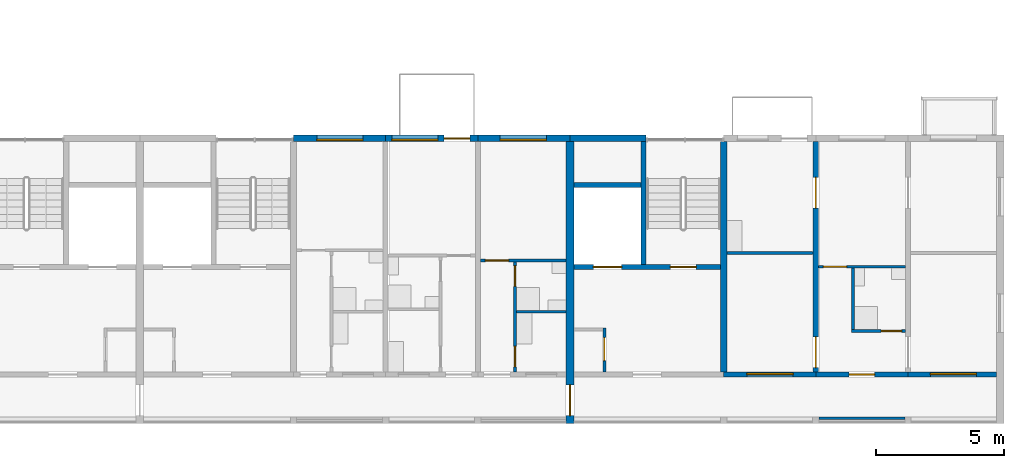
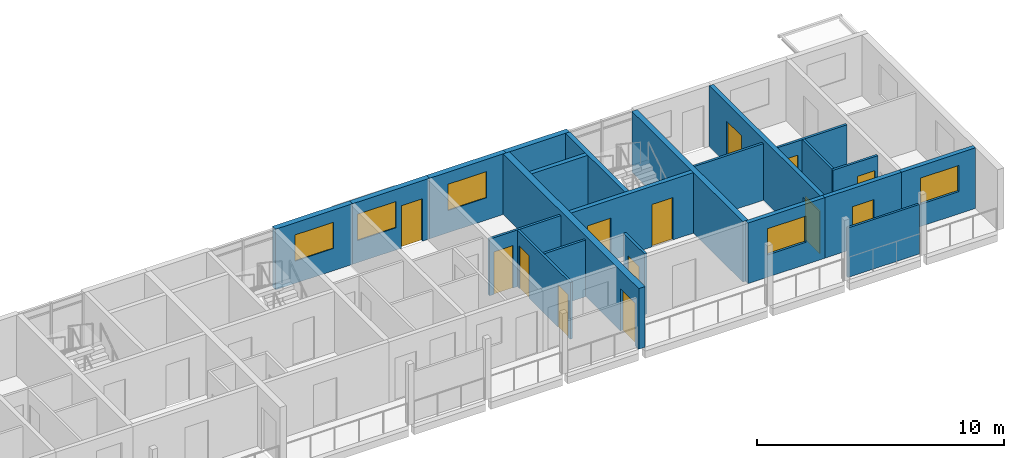
# One storey, part 54 of 93: 22 walls, 13 doors, 5 windows, 18 openings.
"""IFC4 building model written with IfcOpenShell, lengths in metres."""

from ifc_helpers import new_model, si_unit, direction, frame, frame_2d, origin, place, context, subcontext, project, spatial, rectangle, extrude, material, layer, layer_set, type_object, element, fill, save


model = new_model("IFC4")

# Units and contexts
model_context = context("Model", 3, precision=1e-05, world=origin(), true_north=direction((0.0, 1.0)))
body_context = subcontext(model_context, "Body", "Model", "MODEL_VIEW")
ifc_project = project(units=[si_unit("LENGTHUNIT", "METRE"), si_unit("AREAUNIT", "SQUARE_METRE"), si_unit("VOLUMEUNIT", "CUBIC_METRE"), si_unit("PLANEANGLEUNIT", "RADIAN"), si_unit("MASSUNIT", "GRAM", prefix="KILO")], contexts=[model_context])

# Site, building, storey
site_placement = place(None, origin())
site = spatial("IfcSite", under=ifc_project, at=site_placement, CompositionType="ELEMENT")
building_placement = place(site_placement, origin())
building = spatial("IfcBuilding", under=site, at=building_placement, Name="Ridgestep Commons", CompositionType="ELEMENT")
storey_placement = place(building_placement, frame((0.0, 0.0, 18.0)))
storey = spatial("IfcBuildingStorey", under=building, at=storey_placement, Name="L06", CompositionType="ELEMENT", Elevation=18.0)

# Wall
ifc_material_1 = material(Name="Concrete C30/37", Category="concrete")
ifc_layer_1 = layer(ifc_material_1, 0.25)
ifc_layer_set_1 = layer_set([ifc_layer_1], Name="Core cross wall 250")
wall_type_1 = type_object("IfcWallType", Name="Core cross wall 250", PredefinedType="SHEAR", material=ifc_layer_set_1)
wall_1_placement = place(storey_placement, frame((236.800048828125, 13.75, 0.0), z_axis=(0.0, 0.0, 1.0), x_axis=(0.0, 1.0, 0.0)))
element("IfcWall", 1, at=wall_1_placement, inside=storey, type_object=wall_type_1, Name="Cross wall D-06-2368", PredefinedType="SHEAR", context=body_context, shape_type="SweptSolid", body=[
    extrude(rectangle(XDim=9.0, YDim=0.25, at=frame_2d((4.5, 0.0))), origin(), (0.0, 0.0, 1.0), 3.0),
])

# Wall, opening, door
ifc_material_2 = material(Name="Concrete C30/37", Category="concrete")
ifc_layer_2 = layer(ifc_material_2, 0.1201171875)
ifc_layer_set_2 = layer_set([ifc_layer_2], Name="Core wall 120")
wall_type_2 = type_object("IfcWallType", Name="Core wall 120", PredefinedType="SHEAR", material=ifc_layer_set_2)
wall_2_placement = place(storey_placement, frame((232.139892578125, 13.75, 0.0), z_axis=(0.0, 0.0, 1.0), x_axis=(0.0, 1.0, 0.0)))
wall_2 = element("IfcWall", 2, at=wall_2_placement, inside=storey, type_object=wall_type_2, Name="Core riser w wall D6C L06", PredefinedType="SHEAR", context=body_context, shape_type="SweptSolid", body=[
    extrude(rectangle(XDim=1.719970703125, YDim=0.1201171875, at=frame_2d((0.85986328125, 0.0))), origin(), (0.0, 0.0, 1.0), 3.0),
])
opening_1_placement = place(wall_2_placement, frame((0.449951171875, 0.0, 0.0)))
opening_1 = element("IfcOpeningElement", 3, at=opening_1_placement, cuts=wall_2, Name="Opening D6C/06/4", PredefinedType="OPENING", context=body_context, shape_type="SweptSolid", body=[
    extrude(rectangle(XDim=0.89990234375, YDim=2.10009765625, at=frame_2d((0.449951171875, 1.050048828125))), frame((0.0, 0.070068359375, 0.0), z_axis=(0.0, -1.0, 0.0), x_axis=(1.0, 0.0, 0.0)), (0.0, 0.0, 1.0), 0.14013671875),
])
ifc_material_3 = material(Name="Steel fire door", Category="steel")
door_type_1 = type_object("IfcDoorType", Name="Riser door 900 x 2100 FD60", OperationType="NOTDEFINED", PredefinedType="DOOR", material=ifc_material_3)
door_1_placement = place(opening_1_placement, origin())
door_1 = element("IfcDoor", 4, at=door_1_placement, inside=storey, type_object=door_type_1, Name="Riser door D6C/06/4", OperationType="SINGLE_SWING_RIGHT", OverallHeight=2.10009765625, OverallWidth=0.89990234375, PredefinedType="DOOR", context=body_context, shape_type="SweptSolid", body=[
    extrude(rectangle(XDim=0.89990234375, YDim=2.10009765625, at=frame_2d((0.449951171875, 1.050048828125))), frame((0.0, 0.02490234375, 0.0), z_axis=(0.0, -1.0, 0.0), x_axis=(1.0, 0.0, 0.0)), (0.0, 0.0, 1.0), 0.050048828125),
])
fill(opening_1, door_1)

# Wall, openings, doors
ifc_material_4 = material(Name="Concrete C30/37", Category="concrete")
ifc_layer_3 = layer(ifc_material_4, 0.199951171875)
ifc_layer_set_3 = layer_set([ifc_layer_3], Name="Core wall 200")
wall_type_3 = type_object("IfcWallType", Name="Core wall 200", PredefinedType="SHEAR", material=ifc_layer_set_3)
wall_3_placement = place(storey_placement, frame((230.949951171875, 17.85009765625, 0.0), z_axis=(0.0, 0.0, 1.0), x_axis=(1.0, 0.0, 0.0)))
wall_3 = element("IfcWall", 5, at=wall_3_placement, inside=storey, type_object=wall_type_3, Name="Core lobby wall D6C L06", PredefinedType="SHEAR", context=body_context, shape_type="SweptSolid", body=[
    extrude(rectangle(XDim=5.72509765625, YDim=0.199951171875, at=frame_2d((2.862548828125, 0.0))), origin(), (0.0, 0.0, 1.0), 3.0),
])
opening_2_placement = place(wall_3_placement, frame((3.77490234375, 0.0, 0.0)))
opening_2 = element("IfcOpeningElement", 6, at=opening_2_placement, cuts=wall_3, Name="Opening D6C/06/2", PredefinedType="OPENING", context=body_context, shape_type="SweptSolid", body=[
    extrude(rectangle(XDim=1.0, YDim=2.10009765625, at=frame_2d((0.5, 1.050048828125))), frame((0.0, 0.10986328125, 0.0), z_axis=(0.0, -1.0, 0.0), x_axis=(1.0, 0.0, 0.0)), (0.0, 0.0, 1.0), 0.219970703125),
])
opening_3_placement = place(wall_3_placement, frame((0.762451171875, 0.0, 0.0)))
opening_3 = element("IfcOpeningElement", 7, at=opening_3_placement, cuts=wall_3, Name="Opening D6C/06/3", PredefinedType="OPENING", context=body_context, shape_type="SweptSolid", body=[
    extrude(rectangle(XDim=1.10009765625, YDim=2.10009765625, at=frame_2d((0.550048828125, 1.050048828125))), frame((0.0, 0.10986328125, 0.0), z_axis=(0.0, -1.0, 0.0), x_axis=(1.0, 0.0, 0.0)), (0.0, 0.0, 1.0), 0.219970703125),
])
ifc_material_5 = material(Name="Stainless steel", Category="steel")
door_type_2 = type_object("IfcDoorType", Name="Lift landing door 1100 x 2100 FD60", OperationType="DOUBLE_DOOR_SLIDING", PredefinedType="DOOR", material=ifc_material_5)
door_2_placement = place(opening_3_placement, origin())
door_2 = element("IfcDoor", 8, at=door_2_placement, inside=storey, type_object=door_type_2, Name="Landing door LD D6C L06", OperationType="DOUBLE_DOOR_SLIDING", OverallHeight=2.10009765625, OverallWidth=1.10009765625, PredefinedType="DOOR", context=body_context, shape_type="SweptSolid", body=[
    extrude(rectangle(XDim=1.10009765625, YDim=2.10009765625, at=frame_2d((0.550048828125, 1.050048828125))), frame((0.0, 0.02490234375, 0.0), z_axis=(0.0, -1.0, 0.0), x_axis=(1.0, 0.0, 0.0)), (0.0, 0.0, 1.0), 0.050048828125),
])
fill(opening_3, door_2)
ifc_material_6 = material(Name="Steel fire door", Category="steel")
door_type_3 = type_object("IfcDoorType", Name="Stair door 1000 x 2100 FD60", OperationType="NOTDEFINED", PredefinedType="DOOR", material=ifc_material_6)
door_3_placement = place(opening_2_placement, origin())
door_3 = element("IfcDoor", 9, at=door_3_placement, inside=storey, type_object=door_type_3, Name="Stair door D6C/06/2", OperationType="SINGLE_SWING_RIGHT", OverallHeight=2.10009765625, OverallWidth=1.0, PredefinedType="DOOR", context=body_context, shape_type="SweptSolid", body=[
    extrude(rectangle(XDim=1.0, YDim=2.10009765625, at=frame_2d((0.5, 1.050048828125))), frame((0.0, 0.02490234375, 0.0), z_axis=(0.0, -1.0, 0.0), x_axis=(1.0, 0.0, 0.0)), (0.0, 0.0, 1.0), 0.050048828125),
])
fill(opening_2, door_3)

# Walls
wall_4_placement = place(storey_placement, frame((233.675048828125, 17.949951171875, 0.0), z_axis=(0.0, 0.0, 1.0), x_axis=(0.0, 1.0, 0.0)))
element("IfcWall", 10, at=wall_4_placement, inside=storey, type_object=wall_type_3, Name="Core stair wall D6C L06", PredefinedType="SHEAR", context=body_context, shape_type="SweptSolid", body=[
    extrude(rectangle(XDim=4.800048828125, YDim=0.199951171875, at=frame_2d((2.39990234375, 0.0))), origin(), (0.0, 0.0, 1.0), 3.0),
])
wall_5_placement = place(storey_placement, frame((230.949951171875, 21.050048828125, 0.0), z_axis=(0.0, 0.0, 1.0), x_axis=(1.0, 0.0, 0.0)))
element("IfcWall", 11, at=wall_5_placement, inside=storey, type_object=wall_type_3, Name="Core duct wall D6C L06", PredefinedType="SHEAR", context=body_context, shape_type="SweptSolid", body=[
    extrude(rectangle(XDim=2.625, YDim=0.199951171875, at=frame_2d((1.3125, 0.0))), origin(), (0.0, 0.0, 1.0), 3.0),
])

# Wall, openings, doors
ifc_material_7 = material(Name="Precast concrete C40/50", Category="concrete")
ifc_layer_4 = layer(ifc_material_7, 0.199951171875)
ifc_layer_set_4 = layer_set([ifc_layer_4], Name="Cross wall 200")
wall_type_4 = type_object("IfcWallType", Name="Cross wall 200", PredefinedType="SHEAR", material=ifc_layer_set_4)
wall_6_placement = place(storey_placement, frame((240.39990234375, 13.75, 0.0), z_axis=(0.0, 0.0, 1.0), x_axis=(0.0, 1.0, 0.0)))
wall_6 = element("IfcWall", 12, at=wall_6_placement, inside=storey, type_object=wall_type_4, Name="Cross wall D-06-2404", PredefinedType="SHEAR", context=body_context, shape_type="SweptSolid", body=[
    extrude(rectangle(XDim=9.0, YDim=0.199951171875, at=frame_2d((4.5, 0.0))), origin(), (0.0, 0.0, 1.0), 3.0),
])
opening_4_placement = place(wall_6_placement, frame((0.175048828125, 0.0, 0.0)))
opening_4 = element("IfcOpeningElement", 13, at=opening_4_placement, cuts=wall_6, Name="Opening D6-06a/4", PredefinedType="OPENING", context=body_context, shape_type="SweptSolid", body=[
    extrude(rectangle(XDim=1.199951171875, YDim=2.10009765625, at=frame_2d((0.60009765625, 1.050048828125))), frame((0.0, 0.10986328125, 0.0), z_axis=(0.0, -1.0, 0.0), x_axis=(1.0, 0.0, 0.0)), (0.0, 0.0, 1.0), 0.219970703125),
])
opening_5_placement = place(wall_6_placement, frame((6.39990234375, 0.0, 0.0)))
opening_5 = element("IfcOpeningElement", 14, at=opening_5_placement, cuts=wall_6, Name="Opening D6-06a/5", PredefinedType="OPENING", context=body_context, shape_type="SweptSolid", body=[
    extrude(rectangle(XDim=1.199951171875, YDim=2.10009765625, at=frame_2d((0.60009765625, 1.050048828125))), frame((0.0, 0.10986328125, 0.0), z_axis=(0.0, -1.0, 0.0), x_axis=(1.0, 0.0, 0.0)), (0.0, 0.0, 1.0), 0.219970703125),
])
ifc_material_8 = material(Name="Timber door leaf", Category="wood")
door_type_4 = type_object("IfcDoorType", Name="Double door 1200 x 2100", OperationType="DOUBLE_DOOR_SINGLE_SWING", PredefinedType="DOOR", material=ifc_material_8)
door_4_placement = place(opening_4_placement, origin())
door_4 = element("IfcDoor", 15, at=door_4_placement, inside=storey, type_object=door_type_4, Name="Double door D6-06a/4", OperationType="DOUBLE_DOOR_SINGLE_SWING", OverallHeight=2.10009765625, OverallWidth=1.199951171875, PredefinedType="DOOR", context=body_context, shape_type="SweptSolid", body=[
    extrude(rectangle(XDim=1.199951171875, YDim=2.10009765625, at=frame_2d((0.60009765625, 1.050048828125))), frame((0.0, 0.02490234375, 0.0), z_axis=(0.0, -1.0, 0.0), x_axis=(1.0, 0.0, 0.0)), (0.0, 0.0, 1.0), 0.050048828125),
])
fill(opening_4, door_4)
door_5_placement = place(opening_5_placement, origin())
door_5 = element("IfcDoor", 16, at=door_5_placement, inside=storey, type_object=door_type_4, Name="Double door D6-06a/5", OperationType="DOUBLE_DOOR_SINGLE_SWING", OverallHeight=2.10009765625, OverallWidth=1.199951171875, PredefinedType="DOOR", context=body_context, shape_type="SweptSolid", body=[
    extrude(rectangle(XDim=1.199951171875, YDim=2.10009765625, at=frame_2d((0.60009765625, 1.050048828125))), frame((0.0, 0.02490234375, 0.0), z_axis=(0.0, -1.0, 0.0), x_axis=(1.0, 0.0, 0.0)), (0.0, 0.0, 1.0), 0.050048828125),
])
fill(opening_5, door_5)

# Wall, opening, door
ifc_material_9 = material(Name="Precast concrete C40/50", Category="concrete")
ifc_layer_5 = layer(ifc_material_9, 0.300048828125)
ifc_layer_set_5 = layer_set([ifc_layer_5], Name="Division wall 300")
wall_type_5 = type_object("IfcWallType", Name="Division wall 300", PredefinedType="SHEAR", material=ifc_layer_set_5)
wall_7_placement = place(storey_placement, frame((230.800048828125, 11.75, 0.0), z_axis=(0.0, 0.0, 1.0), x_axis=(0.0, 1.0, 0.0)))
wall_7 = element("IfcWall", 17, at=wall_7_placement, inside=storey, type_object=wall_type_5, Name="Cross wall D-06-2308", PredefinedType="SHEAR", context=body_context, shape_type="SweptSolid", body=[
    extrude(rectangle(XDim=11.0, YDim=0.300048828125, at=frame_2d((5.5, 0.0))), origin(), (0.0, 0.0, 1.0), 3.0),
])
opening_6_placement = place(wall_7_placement, frame((0.300048828125, 0.0, 0.0)))
opening_6 = element("IfcOpeningElement", 18, at=opening_6_placement, cuts=wall_7, Name="Opening D/06/G2308", PredefinedType="OPENING", context=body_context, shape_type="SweptSolid", body=[
    extrude(rectangle(XDim=1.199951171875, YDim=2.10009765625, at=frame_2d((0.60009765625, 1.050048828125))), frame((0.0, 0.159912109375, 0.0), z_axis=(0.0, -1.0, 0.0), x_axis=(1.0, 0.0, 0.0)), (0.0, 0.0, 1.0), 0.320068359375),
])
ifc_material_10 = material(Name="Steel fire door", Category="steel")
door_type_5 = type_object("IfcDoorType", Name="Division fire door 1200 x 2100 EI 240", OperationType="DOUBLE_DOOR_SINGLE_SWING", PredefinedType="DOOR", material=ifc_material_10)
door_6_placement = place(opening_6_placement, origin())
door_6 = element("IfcDoor", 19, at=door_6_placement, inside=storey, type_object=door_type_5, Name="Division fire door D/06/G2308", OperationType="DOUBLE_DOOR_SINGLE_SWING", OverallHeight=2.10009765625, OverallWidth=1.199951171875, PredefinedType="DOOR", context=body_context, shape_type="SweptSolid", body=[
    extrude(rectangle(XDim=1.199951171875, YDim=2.10009765625, at=frame_2d((0.60009765625, 1.050048828125))), frame((0.0, 0.02490234375, 0.0), z_axis=(0.0, -1.0, 0.0), x_axis=(1.0, 0.0, 0.0)), (0.0, 0.0, 1.0), 0.050048828125),
])
fill(opening_6, door_6)

# Wall, opening, window
ifc_material_11 = material(Name="Precast concrete C40/50", Category="concrete")
ifc_layer_6 = layer(ifc_material_11, 0.25)
ifc_layer_set_6 = layer_set([ifc_layer_6], Name="North facade panel 250")
wall_type_6 = type_object("IfcWallType", Name="North facade panel 250", PredefinedType="SOLIDWALL", material=ifc_layer_set_6)
wall_8_placement = place(storey_placement, frame((220.0, 22.875, 0.0), z_axis=(0.0, 0.0, 1.0), x_axis=(1.0, 0.0, 0.0)))
wall_8 = element("IfcWall", 20, at=wall_8_placement, inside=storey, type_object=wall_type_6, Name="North panel D5T3 L06", PredefinedType="SOLIDWALL", context=body_context, shape_type="SweptSolid", body=[
    extrude(rectangle(XDim=3.60009765625, YDim=0.25, at=frame_2d((1.800048828125, 0.0))), origin(), (0.0, 0.0, 1.0), 3.0),
])
opening_7_placement = place(wall_8_placement, frame((0.91259765625, 0.0, 1.10009765625)))
opening_7 = element("IfcOpeningElement", 21, at=opening_7_placement, cuts=wall_8, Name="Opening W18", PredefinedType="OPENING", context=body_context, shape_type="SweptSolid", body=[
    extrude(rectangle(XDim=1.800048828125, YDim=1.300048828125, at=frame_2d((0.89990234375, 0.64990234375))), frame((0.0, 0.135009765625, 0.0), z_axis=(0.0, -1.0, 0.0), x_axis=(1.0, 0.0, 0.0)), (0.0, 0.0, 1.0), 0.27001953125),
])
ifc_material_12 = material(Name="Aluminium 6063-T6 and glass", Category="aluminium")
window_type = type_object("IfcWindowType", Name="Flat window 1800 x 1300", PartitioningType="DOUBLE_PANEL_VERTICAL", PredefinedType="WINDOW", material=ifc_material_12)
window_1_placement = place(opening_7_placement, origin())
window_1 = element("IfcWindow", 22, at=window_1_placement, inside=storey, type_object=window_type, Name="Window D5-06c 2", OverallHeight=1.300048828125, OverallWidth=1.800048828125, PartitioningType="SINGLE_PANEL", PredefinedType="WINDOW", context=body_context, shape_type="SweptSolid", body=[
    extrude(rectangle(XDim=1.800048828125, YDim=1.300048828125, at=frame_2d((0.89990234375, 0.64990234375))), frame((0.0, -0.02490234375, 0.0), z_axis=(0.0, -1.0, 0.0), x_axis=(1.0, 0.0, 0.0)), (0.0, 0.0, 1.0), 0.06005859375),
])
fill(opening_7, window_1)

# Wall, openings, door, window
wall_9_placement = place(storey_placement, frame((223.60009765625, 22.875, 0.0), z_axis=(0.0, 0.0, 1.0), x_axis=(1.0, 0.0, 0.0)))
wall_9 = element("IfcWall", 23, at=wall_9_placement, inside=storey, type_object=wall_type_6, Name="North panel D5T2 L06", PredefinedType="SOLIDWALL", context=body_context, shape_type="SweptSolid", body=[
    extrude(rectangle(XDim=3.599853515625, YDim=0.25, at=frame_2d((1.7998046875, 0.0))), origin(), (0.0, 0.0, 1.0), 3.0),
])
opening_8_placement = place(wall_9_placement, frame((0.242431640625, 0.0, 1.10009765625)))
opening_8 = element("IfcOpeningElement", 24, at=opening_8_placement, cuts=wall_9, Name="Opening W18", PredefinedType="OPENING", context=body_context, shape_type="SweptSolid", body=[
    extrude(rectangle(XDim=1.800048828125, YDim=1.300048828125, at=frame_2d((0.89990234375, 0.64990234375))), frame((0.0, 0.135009765625, 0.0), z_axis=(0.0, -1.0, 0.0), x_axis=(1.0, 0.0, 0.0)), (0.0, 0.0, 1.0), 0.27001953125),
])
opening_9_placement = place(wall_9_placement, frame((2.284912109375, 0.0, 0.0)))
opening_9 = element("IfcOpeningElement", 25, at=opening_9_placement, cuts=wall_9, Name="Opening D5-06b/5", PredefinedType="OPENING", context=body_context, shape_type="SweptSolid", body=[
    extrude(rectangle(XDim=1.0, YDim=2.10009765625, at=frame_2d((0.5, 1.050048828125))), frame((0.0, 0.135009765625, 0.0), z_axis=(0.0, -1.0, 0.0), x_axis=(1.0, 0.0, 0.0)), (0.0, 0.0, 1.0), 0.27001953125),
])
ifc_material_13 = material(Name="Aluminium and glass", Category="aluminium")
door_type_6 = type_object("IfcDoorType", Name="Balcony door 1000 x 2100", OperationType="NOTDEFINED", PredefinedType="DOOR", material=ifc_material_13)
door_7_placement = place(opening_9_placement, origin())
door_7 = element("IfcDoor", 26, at=door_7_placement, inside=storey, type_object=door_type_6, Name="Balcony door D5-06b/5", OperationType="SINGLE_SWING_LEFT", OverallHeight=2.10009765625, OverallWidth=1.0, PredefinedType="DOOR", context=body_context, shape_type="SweptSolid", body=[
    extrude(rectangle(XDim=1.0, YDim=2.10009765625, at=frame_2d((0.5, 1.050048828125))), frame((0.0, 0.02490234375, 0.0), z_axis=(0.0, -1.0, 0.0), x_axis=(1.0, 0.0, 0.0)), (0.0, 0.0, 1.0), 0.050048828125),
])
fill(opening_9, door_7)
window_2_placement = place(opening_8_placement, origin())
window_2 = element("IfcWindow", 27, at=window_2_placement, inside=storey, type_object=window_type, Name="Window D5-06b 2", OverallHeight=1.300048828125, OverallWidth=1.800048828125, PartitioningType="SINGLE_PANEL", PredefinedType="WINDOW", context=body_context, shape_type="SweptSolid", body=[
    extrude(rectangle(XDim=1.800048828125, YDim=1.300048828125, at=frame_2d((0.89990234375, 0.64990234375))), frame((0.0, -0.02490234375, 0.0), z_axis=(0.0, -1.0, 0.0), x_axis=(1.0, 0.0, 0.0)), (0.0, 0.0, 1.0), 0.06005859375),
])
fill(opening_8, window_2)

# Wall, opening, window
wall_10_placement = place(storey_placement, frame((227.199951171875, 22.875, 0.0), z_axis=(0.0, 0.0, 1.0), x_axis=(1.0, 0.0, 0.0)))
wall_10 = element("IfcWall", 28, at=wall_10_placement, inside=storey, type_object=wall_type_6, Name="North panel D5T1 L06", PredefinedType="SOLIDWALL", context=body_context, shape_type="SweptSolid", body=[
    extrude(rectangle(XDim=3.60009765625, YDim=0.25, at=frame_2d((1.800048828125, 0.0))), origin(), (0.0, 0.0, 1.0), 3.0),
])
opening_10_placement = place(wall_10_placement, frame((0.875, 0.0, 1.10009765625)))
opening_10 = element("IfcOpeningElement", 29, at=opening_10_placement, cuts=wall_10, Name="Opening W18", PredefinedType="OPENING", context=body_context, shape_type="SweptSolid", body=[
    extrude(rectangle(XDim=1.800048828125, YDim=1.300048828125, at=frame_2d((0.89990234375, 0.64990234375))), frame((0.0, 0.135009765625, 0.0), z_axis=(0.0, -1.0, 0.0), x_axis=(1.0, 0.0, 0.0)), (0.0, 0.0, 1.0), 0.27001953125),
])
window_3_placement = place(opening_10_placement, origin())
window_3 = element("IfcWindow", 30, at=window_3_placement, inside=storey, type_object=window_type, Name="Window D5-06a 2", OverallHeight=1.300048828125, OverallWidth=1.800048828125, PartitioningType="SINGLE_PANEL", PredefinedType="WINDOW", context=body_context, shape_type="SweptSolid", body=[
    extrude(rectangle(XDim=1.800048828125, YDim=1.300048828125, at=frame_2d((0.89990234375, 0.64990234375))), frame((0.0, -0.02490234375, 0.0), z_axis=(0.0, -1.0, 0.0), x_axis=(1.0, 0.0, 0.0)), (0.0, 0.0, 1.0), 0.06005859375),
])
fill(opening_10, window_3)

# Wall
wall_11_placement = place(storey_placement, frame((230.800048828125, 22.875, 0.0), z_axis=(0.0, 0.0, 1.0), x_axis=(1.0, 0.0, 0.0)))
element("IfcWall", 31, at=wall_11_placement, inside=storey, type_object=wall_type_6, Name="North panel D6C L06", PredefinedType="SOLIDWALL", context=body_context, shape_type="SweptSolid", body=[
    extrude(rectangle(XDim=2.974853515625, YDim=0.25, at=frame_2d((1.4873046875, 0.0))), origin(), (0.0, 0.0, 1.0), 3.0),
])

# Wall, openings, doors
ifc_material_14 = material(Name="Common brick 110 mm", Category="masonry")
ifc_layer_7 = layer(ifc_material_14, 0.110107421875)
ifc_layer_set_7 = layer_set([ifc_layer_7], Name="Partition 110")
wall_type_7 = type_object("IfcWallType", Name="Partition 110", PredefinedType="PARTITIONING", material=ifc_layer_set_7)
wall_12_placement = place(storey_placement, frame((228.655029296875, 13.75, 0.0), z_axis=(0.0, 0.0, 1.0), x_axis=(0.0, 1.0, 0.0)))
wall_12 = element("IfcWall", 32, at=wall_12_placement, inside=storey, type_object=wall_type_7, Name="Partition D5-06a", PredefinedType="PARTITIONING", context=body_context, shape_type="SweptSolid", body=[
    extrude(rectangle(XDim=4.300048828125, YDim=0.110107421875, at=frame_2d((2.14990234375, 0.0))), origin(), (0.0, 0.0, 1.0), 2.800048828125),
])
opening_11_placement = place(wall_12_placement, frame((0.199951171875, 0.0, 0.0)))
opening_11 = element("IfcOpeningElement", 33, at=opening_11_placement, cuts=wall_12, Name="Opening D5-06a/2", PredefinedType="OPENING", context=body_context, shape_type="SweptSolid", body=[
    extrude(rectangle(XDim=0.800048828125, YDim=2.10009765625, at=frame_2d((0.39990234375, 1.050048828125))), frame((0.0, 0.06494140625, 0.0), z_axis=(0.0, -1.0, 0.0), x_axis=(1.0, 0.0, 0.0)), (0.0, 0.0, 1.0), 0.130126953125),
])
opening_12_placement = place(wall_12_placement, frame((3.35009765625, 0.0, 0.0)))
opening_12 = element("IfcOpeningElement", 34, at=opening_12_placement, cuts=wall_12, Name="Opening D5-06a/3", PredefinedType="OPENING", context=body_context, shape_type="SweptSolid", body=[
    extrude(rectangle(XDim=0.800048828125, YDim=2.10009765625, at=frame_2d((0.39990234375, 1.050048828125))), frame((0.0, 0.06494140625, 0.0), z_axis=(0.0, -1.0, 0.0), x_axis=(1.0, 0.0, 0.0)), (0.0, 0.0, 1.0), 0.130126953125),
])
ifc_material_15 = material(Name="Timber door leaf", Category="wood")
door_type_7 = type_object("IfcDoorType", Name="Internal door 800 x 2100", OperationType="NOTDEFINED", PredefinedType="DOOR", material=ifc_material_15)
door_8_placement = place(opening_11_placement, origin())
door_8 = element("IfcDoor", 35, at=door_8_placement, inside=storey, type_object=door_type_7, Name="Internal door D5-06a/2", OperationType="SINGLE_SWING_RIGHT", OverallHeight=2.10009765625, OverallWidth=0.800048828125, PredefinedType="DOOR", context=body_context, shape_type="SweptSolid", body=[
    extrude(rectangle(XDim=0.800048828125, YDim=2.10009765625, at=frame_2d((0.39990234375, 1.050048828125))), frame((0.0, 0.02490234375, 0.0), z_axis=(0.0, -1.0, 0.0), x_axis=(1.0, 0.0, 0.0)), (0.0, 0.0, 1.0), 0.050048828125),
])
fill(opening_11, door_8)
door_9_placement = place(opening_12_placement, origin())
door_9 = element("IfcDoor", 36, at=door_9_placement, inside=storey, type_object=door_type_7, Name="Internal door D5-06a/3", OperationType="SINGLE_SWING_LEFT", OverallHeight=2.10009765625, OverallWidth=0.800048828125, PredefinedType="DOOR", context=body_context, shape_type="SweptSolid", body=[
    extrude(rectangle(XDim=0.800048828125, YDim=2.10009765625, at=frame_2d((0.39990234375, 1.050048828125))), frame((0.0, 0.02490234375, 0.0), z_axis=(0.0, -1.0, 0.0), x_axis=(1.0, 0.0, 0.0)), (0.0, 0.0, 1.0), 0.050048828125),
])
fill(opening_12, door_9)

# Wall
wall_13_placement = place(storey_placement, frame((228.7099609375, 16.10498046875, 0.0), z_axis=(0.0, 0.0, 1.0), x_axis=(1.0, 0.0, 0.0)))
element("IfcWall", 37, at=wall_13_placement, inside=storey, type_object=wall_type_7, Name="Partition D5-06a", PredefinedType="PARTITIONING", context=body_context, shape_type="SweptSolid", body=[
    extrude(rectangle(XDim=1.93994140625, YDim=0.110107421875, at=frame_2d((0.969970703125, 0.0))), origin(), (0.0, 0.0, 1.0), 2.800048828125),
])

# Wall, opening, door
wall_14_placement = place(storey_placement, frame((227.300048828125, 18.10498046875, 0.0), z_axis=(0.0, 0.0, 1.0), x_axis=(1.0, 0.0, 0.0)))
wall_14 = element("IfcWall", 38, at=wall_14_placement, inside=storey, type_object=wall_type_7, Name="Partition D5-06a", PredefinedType="PARTITIONING", context=body_context, shape_type="SweptSolid", body=[
    extrude(rectangle(XDim=3.349853515625, YDim=0.110107421875, at=frame_2d((1.6748046875, 0.0))), origin(), (0.0, 0.0, 1.0), 2.800048828125),
])
opening_13_placement = place(wall_14_placement, frame((0.199951171875, 0.0, 0.0)))
opening_13 = element("IfcOpeningElement", 39, at=opening_13_placement, cuts=wall_14, Name="Opening D5-06a/4", PredefinedType="OPENING", context=body_context, shape_type="SweptSolid", body=[
    extrude(rectangle(XDim=0.89990234375, YDim=2.10009765625, at=frame_2d((0.449951171875, 1.050048828125))), frame((0.0, 0.06494140625, 0.0), z_axis=(0.0, -1.0, 0.0), x_axis=(1.0, 0.0, 0.0)), (0.0, 0.0, 1.0), 0.130126953125),
])
ifc_material_16 = material(Name="Timber door leaf", Category="wood")
door_type_8 = type_object("IfcDoorType", Name="Internal door 900 x 2100", OperationType="NOTDEFINED", PredefinedType="DOOR", material=ifc_material_16)
door_10_placement = place(opening_13_placement, origin())
door_10 = element("IfcDoor", 40, at=door_10_placement, inside=storey, type_object=door_type_8, Name="Internal door D5-06a/4", OperationType="SINGLE_SWING_LEFT", OverallHeight=2.10009765625, OverallWidth=0.89990234375, PredefinedType="DOOR", context=body_context, shape_type="SweptSolid", body=[
    extrude(rectangle(XDim=0.89990234375, YDim=2.10009765625, at=frame_2d((0.449951171875, 1.050048828125))), frame((0.0, 0.02490234375, 0.0), z_axis=(0.0, -1.0, 0.0), x_axis=(1.0, 0.0, 0.0)), (0.0, 0.0, 1.0), 0.050048828125),
])
fill(opening_13, door_10)

wall_15_placement = place(storey_placement, frame((241.800048828125, 15.35498046875, 0.0), z_axis=(0.0, 0.0, 1.0), x_axis=(1.0, 0.0, 0.0)))
wall_15 = element("IfcWall", 41, at=wall_15_placement, inside=storey, type_object=wall_type_7, Name="Partition D6-06a", PredefinedType="PARTITIONING", context=body_context, shape_type="SweptSolid", body=[
    extrude(rectangle(XDim=2.099853515625, YDim=0.110107421875, at=frame_2d((1.0498046875, 0.0))), origin(), (0.0, 0.0, 1.0), 2.800048828125),
])
opening_14_placement = place(wall_15_placement, frame((1.14990234375, 0.0, 0.0)))
opening_14 = element("IfcOpeningElement", 42, at=opening_14_placement, cuts=wall_15, Name="Opening D6-06a/2", PredefinedType="OPENING", context=body_context, shape_type="SweptSolid", body=[
    extrude(rectangle(XDim=0.800048828125, YDim=2.10009765625, at=frame_2d((0.39990234375, 1.050048828125))), frame((0.0, 0.06494140625, 0.0), z_axis=(0.0, -1.0, 0.0), x_axis=(1.0, 0.0, 0.0)), (0.0, 0.0, 1.0), 0.130126953125),
])
door_11_placement = place(opening_14_placement, origin())
door_11 = element("IfcDoor", 43, at=door_11_placement, inside=storey, type_object=door_type_7, Name="Internal door D6-06a/2", OperationType="SINGLE_SWING_RIGHT", OverallHeight=2.10009765625, OverallWidth=0.800048828125, PredefinedType="DOOR", context=body_context, shape_type="SweptSolid", body=[
    extrude(rectangle(XDim=0.800048828125, YDim=2.10009765625, at=frame_2d((0.39990234375, 1.050048828125))), frame((0.0, 0.02490234375, 0.0), z_axis=(0.0, -1.0, 0.0), x_axis=(1.0, 0.0, 0.0)), (0.0, 0.0, 1.0), 0.050048828125),
])
fill(opening_14, door_11)

# Wall
wall_16_placement = place(storey_placement, frame((241.85498046875, 15.409912109375, 0.0), z_axis=(0.0, 0.0, 1.0), x_axis=(0.0, 1.0, 0.0)))
element("IfcWall", 44, at=wall_16_placement, inside=storey, type_object=wall_type_7, Name="Partition D6-06a", PredefinedType="PARTITIONING", context=body_context, shape_type="SweptSolid", body=[
    extrude(rectangle(XDim=2.400146484375, YDim=0.110107421875, at=frame_2d((1.2001953125, 0.0))), origin(), (0.0, 0.0, 1.0), 2.800048828125),
])

# Wall, opening, door
wall_17_placement = place(storey_placement, frame((240.5, 17.864990234375, 0.0), z_axis=(0.0, 0.0, 1.0), x_axis=(1.0, 0.0, 0.0)))
wall_17 = element("IfcWall", 45, at=wall_17_placement, inside=storey, type_object=wall_type_7, Name="Partition D6-06a", PredefinedType="PARTITIONING", context=body_context, shape_type="SweptSolid", body=[
    extrude(rectangle(XDim=3.39990234375, YDim=0.110107421875, at=frame_2d((1.699951171875, 0.0))), origin(), (0.0, 0.0, 1.0), 2.800048828125),
])
opening_15_placement = place(wall_17_placement, frame((0.199951171875, 0.0, 0.0)))
opening_15 = element("IfcOpeningElement", 46, at=opening_15_placement, cuts=wall_17, Name="Opening D6-06a/3", PredefinedType="OPENING", context=body_context, shape_type="SweptSolid", body=[
    extrude(rectangle(XDim=0.89990234375, YDim=2.10009765625, at=frame_2d((0.449951171875, 1.050048828125))), frame((0.0, 0.06494140625, 0.0), z_axis=(0.0, -1.0, 0.0), x_axis=(1.0, 0.0, 0.0)), (0.0, 0.0, 1.0), 0.130126953125),
])
door_12_placement = place(opening_15_placement, origin())
door_12 = element("IfcDoor", 47, at=door_12_placement, inside=storey, type_object=door_type_8, Name="Internal door D6-06a/3", OperationType="SINGLE_SWING_LEFT", OverallHeight=2.10009765625, OverallWidth=0.89990234375, PredefinedType="DOOR", context=body_context, shape_type="SweptSolid", body=[
    extrude(rectangle(XDim=0.89990234375, YDim=2.10009765625, at=frame_2d((0.449951171875, 1.050048828125))), frame((0.0, 0.02490234375, 0.0), z_axis=(0.0, -1.0, 0.0), x_axis=(1.0, 0.0, 0.0)), (0.0, 0.0, 1.0), 0.050048828125),
])
fill(opening_15, door_12)

# Walls
wall_18_placement = place(storey_placement, frame((236.925048828125, 18.405029296875, 0.0), z_axis=(0.0, 0.0, 1.0), x_axis=(1.0, 0.0, 0.0)))
element("IfcWall", 48, at=wall_18_placement, inside=storey, type_object=wall_type_7, Name="Partition D6-06a", PredefinedType="PARTITIONING", context=body_context, shape_type="SweptSolid", body=[
    extrude(rectangle(XDim=3.375, YDim=0.110107421875, at=frame_2d((1.6875, 0.0))), origin(), (0.0, 0.0, 1.0), 2.800048828125),
])
ifc_material_17 = material(Name="Precast concrete C30/37", Category="concrete")
ifc_layer_8 = layer(ifc_material_17, 0.10009765625)
ifc_layer_set_8 = layer_set([ifc_layer_8], Name="Perforated gallery screen 3350 x 2450 x 100")
wall_type_8 = type_object("IfcWallType", Name="Perforated gallery screen 3350 x 2450 x 100", PredefinedType="SOLIDWALL", material=ifc_layer_set_8)
wall_19_placement = place(storey_placement, frame((240.52490234375, 11.949951171875, 0.0), z_axis=(0.0, 0.0, 1.0), x_axis=(1.0, 0.0, 0.0)))
element("IfcWall", 49, at=wall_19_placement, inside=storey, type_object=wall_type_8, Name="Gallery screen D6T2 06", PredefinedType="SOLIDWALL", context=body_context, shape_type="SweptSolid", body=[
    extrude(rectangle(XDim=3.35009765625, YDim=0.10009765625, at=frame_2d((1.675048828125, 0.0))), origin(), (0.0, 0.0, 1.0), 2.449951171875),
])

# Wall, opening, window
ifc_material_18 = material(Name="Precast concrete C40/50", Category="concrete")
ifc_layer_9 = layer(ifc_material_18, 0.199951171875)
ifc_layer_set_9 = layer_set([ifc_layer_9], Name="South facade panel 200")
wall_type_9 = type_object("IfcWallType", Name="South facade panel 200", PredefinedType="SOLIDWALL", material=ifc_layer_set_9)
wall_20_placement = place(storey_placement, frame((236.800048828125, 13.64990234375, 0.0), z_axis=(0.0, 0.0, 1.0), x_axis=(1.0, 0.0, 0.0)))
wall_20 = element("IfcWall", 50, at=wall_20_placement, inside=storey, type_object=wall_type_9, Name="South panel D6T3 L06", PredefinedType="SOLIDWALL", context=body_context, shape_type="SweptSolid", body=[
    extrude(rectangle(XDim=3.599853515625, YDim=0.199951171875, at=frame_2d((1.7998046875, 0.0))), origin(), (0.0, 0.0, 1.0), 3.0),
])
opening_16_placement = place(wall_20_placement, frame((0.91259765625, 0.0, 1.10009765625)))
opening_16 = element("IfcOpeningElement", 51, at=opening_16_placement, cuts=wall_20, Name="Opening W18", PredefinedType="OPENING", context=body_context, shape_type="SweptSolid", body=[
    extrude(rectangle(XDim=1.800048828125, YDim=1.300048828125, at=frame_2d((0.89990234375, 0.64990234375))), frame((0.0, 0.10986328125, 0.0), z_axis=(0.0, -1.0, 0.0), x_axis=(1.0, 0.0, 0.0)), (0.0, 0.0, 1.0), 0.219970703125),
])
window_4_placement = place(opening_16_placement, origin())
window_4 = element("IfcWindow", 52, at=window_4_placement, inside=storey, type_object=window_type, Name="Window D6-06a 1", OverallHeight=1.300048828125, OverallWidth=1.800048828125, PartitioningType="SINGLE_PANEL", PredefinedType="WINDOW", context=body_context, shape_type="SweptSolid", body=[
    extrude(rectangle(XDim=1.800048828125, YDim=1.300048828125, at=frame_2d((0.89990234375, 0.64990234375))), frame((0.0, 0.06005859375, 0.0), z_axis=(0.0, -1.0, 0.0), x_axis=(1.0, 0.0, 0.0)), (0.0, 0.0, 1.0), 0.06005859375),
])
fill(opening_16, window_4)

# Wall, opening, door
wall_21_placement = place(storey_placement, frame((240.39990234375, 13.64990234375, 0.0), z_axis=(0.0, 0.0, 1.0), x_axis=(1.0, 0.0, 0.0)))
wall_21 = element("IfcWall", 53, at=wall_21_placement, inside=storey, type_object=wall_type_9, Name="South panel D6T2 L06", PredefinedType="SOLIDWALL", context=body_context, shape_type="SweptSolid", body=[
    extrude(rectangle(XDim=3.60009765625, YDim=0.199951171875, at=frame_2d((1.800048828125, 0.0))), origin(), (0.0, 0.0, 1.0), 3.0),
])
opening_17_placement = place(wall_21_placement, frame((1.300048828125, 0.0, 0.0)))
opening_17 = element("IfcOpeningElement", 54, at=opening_17_placement, cuts=wall_21, Name="Opening D6-06a/1", PredefinedType="OPENING", context=body_context, shape_type="SweptSolid", body=[
    extrude(rectangle(XDim=1.0, YDim=2.10009765625, at=frame_2d((0.5, 1.050048828125))), frame((0.0, 0.10986328125, 0.0), z_axis=(0.0, -1.0, 0.0), x_axis=(1.0, 0.0, 0.0)), (0.0, 0.0, 1.0), 0.219970703125),
])
ifc_material_19 = material(Name="Timber door leaf", Category="wood")
door_type_9 = type_object("IfcDoorType", Name="Flat entrance door 1000 x 2100 FD30S", OperationType="NOTDEFINED", PredefinedType="DOOR", material=ifc_material_19)
door_13_placement = place(opening_17_placement, origin())
door_13 = element("IfcDoor", 55, at=door_13_placement, inside=storey, type_object=door_type_9, Name="Flat entrance door D6-06a/1", OperationType="SINGLE_SWING_LEFT", OverallHeight=2.10009765625, OverallWidth=1.0, PredefinedType="DOOR", context=body_context, shape_type="SweptSolid", body=[
    extrude(rectangle(XDim=1.0, YDim=2.10009765625, at=frame_2d((0.5, 1.050048828125))), frame((0.0, 0.02490234375, 0.0), z_axis=(0.0, -1.0, 0.0), x_axis=(1.0, 0.0, 0.0)), (0.0, 0.0, 1.0), 0.050048828125),
])
fill(opening_17, door_13)

# Wall, opening, window
wall_22_placement = place(storey_placement, frame((244.0, 13.64990234375, 0.0), z_axis=(0.0, 0.0, 1.0), x_axis=(1.0, 0.0, 0.0)))
wall_22 = element("IfcWall", 56, at=wall_22_placement, inside=storey, type_object=wall_type_9, Name="South panel D6T1 L06", PredefinedType="SOLIDWALL", context=body_context, shape_type="SweptSolid", body=[
    extrude(rectangle(XDim=3.449951171875, YDim=0.199951171875, at=frame_2d((1.72509765625, 0.0))), origin(), (0.0, 0.0, 1.0), 3.0),
])
opening_18_placement = place(wall_22_placement, frame((0.875, 0.0, 1.10009765625)))
opening_18 = element("IfcOpeningElement", 57, at=opening_18_placement, cuts=wall_22, Name="Opening W18", PredefinedType="OPENING", context=body_context, shape_type="SweptSolid", body=[
    extrude(rectangle(XDim=1.800048828125, YDim=1.300048828125, at=frame_2d((0.89990234375, 0.64990234375))), frame((0.0, 0.10986328125, 0.0), z_axis=(0.0, -1.0, 0.0), x_axis=(1.0, 0.0, 0.0)), (0.0, 0.0, 1.0), 0.219970703125),
])
window_5_placement = place(opening_18_placement, origin())
window_5 = element("IfcWindow", 58, at=window_5_placement, inside=storey, type_object=window_type, Name="Window D6-06a 3", OverallHeight=1.300048828125, OverallWidth=1.800048828125, PartitioningType="SINGLE_PANEL", PredefinedType="WINDOW", context=body_context, shape_type="SweptSolid", body=[
    extrude(rectangle(XDim=1.800048828125, YDim=1.300048828125, at=frame_2d((0.89990234375, 0.64990234375))), frame((0.0, 0.06005859375, 0.0), z_axis=(0.0, -1.0, 0.0), x_axis=(1.0, 0.0, 0.0)), (0.0, 0.0, 1.0), 0.06005859375),
])
fill(opening_18, window_5)

save(model, "model.ifc")
